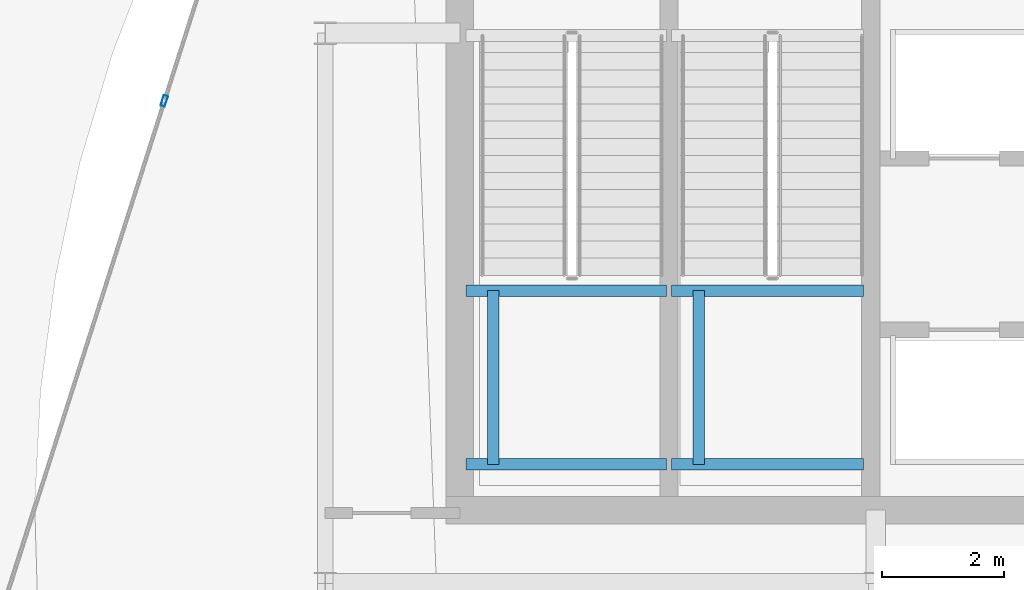
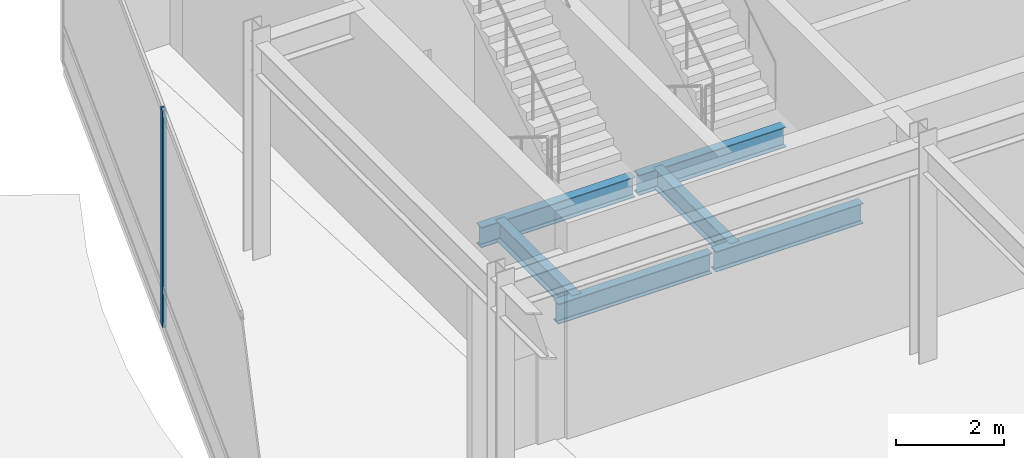
# One storey, part 8 of 21: 6 beams, 1 member, 1 element without a shape of its own.
"""IFC4 building model written with IfcOpenShell, lengths in metres."""

from ifc_helpers import new_model, si_unit, direction, frame, origin, origin_2d, place, context, subcontext, project, spatial, hollow_rectangle, i_section, extrude, material, layer, layer_set, material_profile, profile_set, type_object, element, aggregate, save


model = new_model("IFC4")

# Units and contexts
model_context = context("Model", 3, precision=1e-05, world=origin(), true_north=direction((0.0, 1.0)))
body_context = subcontext(model_context, "Body", "Model", "MODEL_VIEW")
ifc_project = project(units=[si_unit("LENGTHUNIT", "METRE"), si_unit("AREAUNIT", "SQUARE_METRE"), si_unit("VOLUMEUNIT", "CUBIC_METRE"), si_unit("PLANEANGLEUNIT", "RADIAN"), si_unit("MASSUNIT", "GRAM", prefix="KILO")], contexts=[model_context])

# Site, building, storey
site_placement = place(None, origin())
site = spatial("IfcSite", under=ifc_project, at=site_placement, CompositionType="ELEMENT")
building_placement = place(site_placement, origin())
building = spatial("IfcBuilding", under=site, at=building_placement, Name="Solvaryn Broadcast Tower", CompositionType="ELEMENT")
storey_placement = place(building_placement, frame((0.0, 0.0, 297.39990234375)))
storey = spatial("IfcBuildingStorey", under=building, at=storey_placement, Name="L75", CompositionType="ELEMENT", Elevation=297.39990234375)

# Beams
ifc_material_1 = material(Name="Steel ASTM A992 Grade 50", Category="steel")
ifc_material_profile_1 = material_profile(ifc_material_1, i_section(OverallWidth=0.18994140625, OverallDepth=0.45703125, WebThickness=0.009033203125, FlangeThickness=0.014404296875, FilletRadius=0.011962890625, at=origin_2d()))
ifc_profile_set_1 = profile_set([ifc_material_profile_1], Name="Steel ASTM A992 Grade 50")
beam_type = type_object("IfcBeamType", Name="BM-B4-W18X50", PredefinedType="BEAM", material=ifc_profile_set_1)
for number, where, z_axis, x_axis, name in (
    (1, (11.300048828125, 28.949951171875, 2.171630859375), (1.0, 0.0, 0.0), (0.0, 1.0, 0.0), "L75 ST1 Landing Support Beam 1A"),
    (2, (11.300048828125, 31.7900390625, 2.171630859375), (1.0, 0.0, 0.0), (0.0, 1.0, 0.0), "L75 ST1 Landing Support Beam 1B"),
):
    element("IfcBeam", number, at=place(storey_placement, frame(where, z_axis=z_axis, x_axis=x_axis)), inside=storey, type_object=beam_type, Name=name, PredefinedType="BEAM", context=body_context, shape_type="SweptSolid", body=[
        extrude(i_section(OverallWidth=0.18994140625, OverallDepth=0.45703125, WebThickness=0.009033203125, FlangeThickness=0.014404296875, FilletRadius=0.011962890625, at=origin_2d()), origin(), (0.0, 0.0, 1.0), 3.280029296875),
    ])
beam_1_placement = place(storey_placement, frame((11.75, 28.949951171875, 2.171630859375), z_axis=(0.0, 1.0, 0.0), x_axis=(-1.0, 0.0, 0.0)))
element("IfcBeam", 3, at=beam_1_placement, inside=storey, type_object=beam_type, Name="L75 ST1 Landing Cross Stringer 1C", PredefinedType="BEAM", context=body_context, shape_type="SweptSolid", body=[
    extrude(i_section(OverallWidth=0.18994140625, OverallDepth=0.45703125, WebThickness=0.009033203125, FlangeThickness=0.014404296875, FilletRadius=0.011962890625, at=origin_2d()), origin(), (0.0, 0.0, 1.0), 2.840087890625),
])
for number, where, z_axis, x_axis, name in (
    (4, (14.659912109375, 28.949951171875, 2.171630859375), (1.0, 0.0, 0.0), (0.0, 1.0, 0.0), "L75 ST2 Landing Support Beam 1A"),
    (5, (14.659912109375, 31.7900390625, 2.171630859375), (1.0, 0.0, 0.0), (0.0, 1.0, 0.0), "L75 ST2 Landing Support Beam 1B"),
):
    element("IfcBeam", number, at=place(storey_placement, frame(where, z_axis=z_axis, x_axis=x_axis)), inside=storey, type_object=beam_type, Name=name, PredefinedType="BEAM", context=body_context, shape_type="SweptSolid", body=[
        extrude(i_section(OverallWidth=0.18994140625, OverallDepth=0.45703125, WebThickness=0.009033203125, FlangeThickness=0.014404296875, FilletRadius=0.011962890625, at=origin_2d()), origin(), (0.0, 0.0, 1.0), 3.14013671875),
    ])
beam_2_placement = place(storey_placement, frame((15.110107421875, 28.949951171875, 2.171630859375), z_axis=(0.0, 1.0, 0.0), x_axis=(-1.0, 0.0, 0.0)))
element("IfcBeam", 6, at=beam_2_placement, inside=storey, type_object=beam_type, Name="L75 ST2 Landing Cross Stringer 1C", PredefinedType="BEAM", context=body_context, shape_type="SweptSolid", body=[
    extrude(i_section(OverallWidth=0.18994140625, OverallDepth=0.45703125, WebThickness=0.009033203125, FlangeThickness=0.014404296875, FilletRadius=0.011962890625, at=origin_2d()), origin(), (0.0, 0.0, 1.0), 2.840087890625),
])

# Curtain wall, member
ifc_material_2 = material(Name="Aluminium and Terracotta Unitised Curtain Wall", Category="masonry")
ifc_layer = layer(ifc_material_2, 0.260009765625)
ifc_layer_set = layer_set([ifc_layer], Name="CW-SYS5-DAMPER")
curtain_wall_type = type_object("IfcCurtainWallType", Name="CW-SYS5-DAMPER", PredefinedType="NOTDEFINED", material=ifc_layer_set)
curtain_wall_placement = place(storey_placement, origin())
curtain_wall = element("IfcCurtainWall", 7, at=curtain_wall_placement, inside=storey, type_object=curtain_wall_type, Name="L75 Curtain Wall DR1", PredefinedType="NOTDEFINED")
ifc_material_3 = material(Name="Anodised Aluminium 6063-T6", Category="aluminium")
ifc_material_profile_2 = material_profile(ifc_material_3, hollow_rectangle(XDim=0.074951171875, YDim=0.179931640625, WallThickness=0.00390625, InnerFilletRadius=0.00390625, OuterFilletRadius=0.008056640625, at=origin_2d()))
ifc_profile_set_2 = profile_set([ifc_material_profile_2], Name="Anodised Aluminium 6063-T6")
member_type = type_object("IfcMemberType", Name="CW-MUL-180", PredefinedType="MULLION", material=ifc_profile_set_2)
member_placement = place(storey_placement, frame((6.368896484375, 34.892578125, 0.0), z_axis=(0.0, 0.0, 1.0), x_axis=(0.952794594701, -0.30361564569, 0.0)))
member = element("IfcMember", 8, at=member_placement, type_object=member_type, Name="CWS5 mullion 2", PredefinedType="MULLION", context=body_context, shape_type="SweptSolid", body=[
    extrude(hollow_rectangle(XDim=0.074951171875, YDim=0.179931640625, WallThickness=0.00390625, InnerFilletRadius=0.00390625, OuterFilletRadius=0.008056640625, at=origin_2d()), origin(), (0.0, 0.0, 1.0), 4.8701171875),
])
aggregate(curtain_wall, [member])

save(model, "model.ifc")
